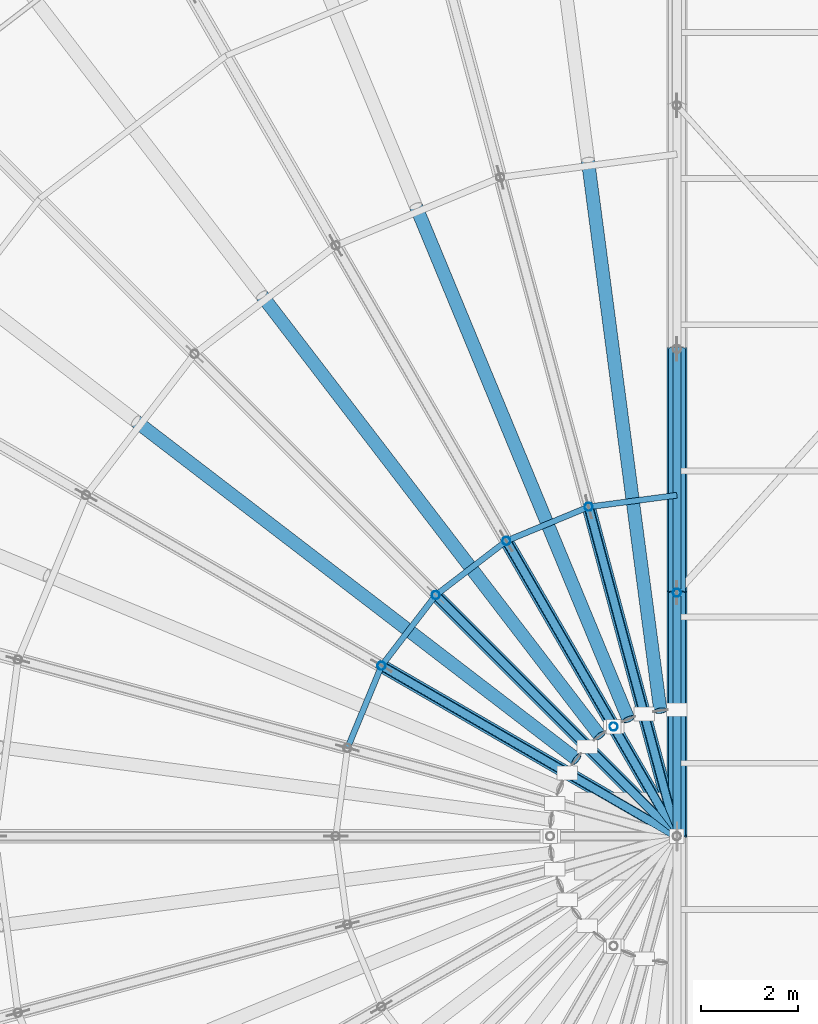
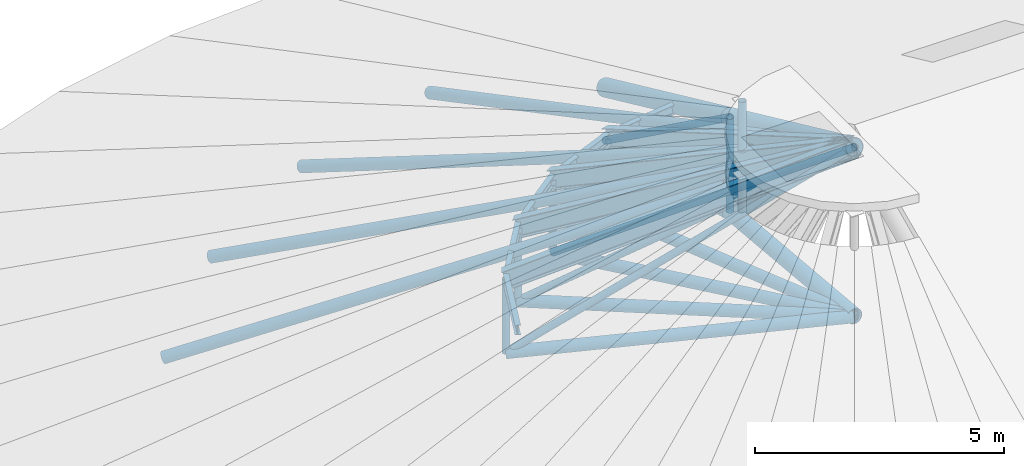
# One storey, part 9 of 107: 33 members.
"""IFC4 building model written with IfcOpenShell, lengths in metres."""

import ifcopenshell
import ifcopenshell.guid

model = None  # the IFC model being written
_history = None  # IfcOwnerHistory: only IFC2X3 demands one
_inside = {}  # id of a spatial element -> (the spatial element, [elements in it])
_under = {}  # id of a project, library or spatial element -> (it, [spatial elements below it])
_declared = {}  # id of a project -> (the project, [libraries it declares])
_typed = {}  # id of a type object -> (the type object, [elements of that type])
_made_of = {}  # id of a material, layer set ... -> (it, [elements and type objects made of it])


def new_model(schema):
    """Start an empty IFC model of exactly this schema.

    Asked for "IFC4X3", IfcOpenShell would pick the latest addendum, in which some entities
    have other attributes; the version numbers below select the first issue.
    IFC2X3 requires an IfcOwnerHistory on every rooted entity: one is made here for all.
    """
    global model, _history
    if schema == "IFC4X3":
        model = ifcopenshell.file(schema_version=(4, 3, 0, 0))
    else:
        model = ifcopenshell.file(schema=schema)
    _inside.clear()
    _under.clear()
    _declared.clear()
    _typed.clear()
    _made_of.clear()
    _history = None
    if model.schema == "IFC2X3":
        org = make("IfcOrganization", Name="unknown")
        user = make(
            "IfcPersonAndOrganization",
            ThePerson=make("IfcPerson", FamilyName="unknown"),
            TheOrganization=org,
        )
        app = make(
            "IfcApplication",
            ApplicationDeveloper=org,
            Version="unknown",
            ApplicationFullName="unknown",
            ApplicationIdentifier="unknown",
        )
        _history = make(
            "IfcOwnerHistory",
            OwningUser=user,
            OwningApplication=app,
            ChangeAction="ADDED",
            CreationDate=0,
        )
    return model


def make(cls, **values):
    """One entity of the class cls with the attributes given. An attribute that is None is left unset."""
    return model.create_entity(
        cls, **{name: value for name, value in values.items() if value is not None}
    )


def rooted(cls, **values):
    """An entity with a GlobalId (a new one), such as an element, a storey or a relation."""
    return make(cls, GlobalId=ifcopenshell.guid.new(), OwnerHistory=_history, **values)


def si_unit(unit_type, name, prefix=None):
    """IfcSIUnit, for example si_unit("LENGTHUNIT", "METRE", prefix="MILLI")."""
    return make("IfcSIUnit", UnitType=unit_type, Prefix=prefix, Name=name)


def derived_unit(unit_type, elements):
    """IfcDerivedUnit: a product of units, each with its exponent."""
    return make(
        "IfcDerivedUnit",
        Elements=[
            make("IfcDerivedUnitElement", Unit=unit, Exponent=power)
            for unit, power in elements
        ],
        UnitType=unit_type,
    )


def assignment(units):
    """IfcUnitAssignment: the units of a project."""
    return None if units is None else make("IfcUnitAssignment", Units=units)


def point(xyz):
    """IfcCartesianPoint."""
    return None if xyz is None else make("IfcCartesianPoint", Coordinates=xyz)


def direction(xyz):
    """IfcDirection."""
    return None if xyz is None else make("IfcDirection", DirectionRatios=xyz)


def frame(location, z_axis=None, x_axis=None):
    """IfcAxis2Placement3D, a coordinate frame: its origin and axes. An axis left out is left unset."""
    return make(
        "IfcAxis2Placement3D",
        Location=point(location),
        Axis=direction(z_axis),
        RefDirection=direction(x_axis),
    )


def frame_2d(location, x_axis=None):
    """IfcAxis2Placement2D, a coordinate frame in the plane: its origin and x axis."""
    return make(
        "IfcAxis2Placement2D", Location=point(location), RefDirection=direction(x_axis)
    )


def origin():
    """The frame at (0, 0, 0) with its axes left unset."""
    return frame((0.0, 0.0, 0.0))


def origin_2d():
    """The frame at (0, 0) in the plane with its x axis left unset."""
    return frame_2d((0.0, 0.0))


def place(relative_to, where):
    """IfcLocalPlacement: puts the frame where relative to a parent placement (None: the world)."""
    return make(
        "IfcLocalPlacement", PlacementRelTo=relative_to, RelativePlacement=where
    )


def context(
    kind, dimensions, precision=None, world=None, true_north=None, identifier=None
):
    """IfcGeometricRepresentationContext, for example the 3D "Model" context."""
    return make(
        "IfcGeometricRepresentationContext",
        ContextIdentifier=identifier,
        ContextType=kind,
        CoordinateSpaceDimension=dimensions,
        Precision=precision,
        WorldCoordinateSystem=world,
        TrueNorth=true_north,
    )


def subcontext(parent, identifier, kind, view, scale=None):
    """IfcGeometricRepresentationSubContext, for example "Body" below "Model"."""
    return make(
        "IfcGeometricRepresentationSubContext",
        ContextIdentifier=identifier,
        ContextType=kind,
        ParentContext=parent,
        TargetScale=scale,
        TargetView=view,
    )


def project(units=None, contexts=None):
    """IfcProject with its units and contexts."""
    return rooted(
        "IfcProject",
        Name="project",
        RepresentationContexts=contexts,
        UnitsInContext=assignment(units),
    )


def spatial(cls, under=None, at=None, **own):
    """A site, building, storey or space (cls), placed at a placement, below another one or the project."""
    s = rooted(cls, ObjectPlacement=at, **own)
    if under is not None:
        _under.setdefault(under.id(), (under, []))[1].append(s)
    return s


def profile(cls, at=None, kind="AREA", **sizes):
    """A parametric profile (cls). Its sizes go by their IFC names, for example OverallWidth=200.0."""
    return make(cls, ProfileType=kind, Position=at, **sizes)


def hollow_circle(**sizes):
    """IfcCircleHollowProfileDef."""
    return profile("IfcCircleHollowProfileDef", **sizes)


def i_section(**sizes):
    """IfcIShapeProfileDef."""
    return profile("IfcIShapeProfileDef", **sizes)


def extrude(swept, where, along, depth):
    """IfcExtrudedAreaSolid: the profile swept, set in the frame where, extruded along a direction by depth."""
    return make(
        "IfcExtrudedAreaSolid",
        SweptArea=swept,
        Position=where,
        ExtrudedDirection=direction(along),
        Depth=depth,
    )


def shape(context_of_items, identifier, shape_type, items):
    """IfcShapeRepresentation: the items that make up one representation, for example the "Body"."""
    return make(
        "IfcShapeRepresentation",
        ContextOfItems=context_of_items,
        RepresentationIdentifier=identifier,
        RepresentationType=shape_type,
        Items=items,
    )


def material(Name=None, Category=None):
    """IfcMaterial."""
    return make("IfcMaterial", Name=Name, Category=Category)


def material_profile(
    of_material, cross_section, Name=None, Category=None, Priority=None
):
    """IfcMaterialProfile: a cross section and its material."""
    return make(
        "IfcMaterialProfile",
        Name=Name,
        Material=of_material,
        Profile=cross_section,
        Priority=Priority,
        Category=Category,
    )


def profile_set(profiles, Name=None, composite=None):
    """IfcMaterialProfileSet."""
    return make(
        "IfcMaterialProfileSet",
        Name=Name,
        MaterialProfiles=profiles,
        CompositeProfile=composite,
    )


def made_of(thing, what):
    """Note that an element or type object is made of a material, layer set ...; save() writes the relation."""
    if what is not None:
        _made_of.setdefault(what.id(), (what, []))[1].append(thing)
    return thing


def type_object(cls, material=None, **own):
    """A type object (cls), such as IfcWallType, which elements share."""
    return made_of(rooted(cls, **own), material)


def element(
    cls,
    number,
    at=None,
    inside=None,
    cuts=None,
    type_object=None,
    material=None,
    context=None,
    identifier="Body",
    shape_type=None,
    held_by="IfcProductDefinitionShape",
    body=None,
    shapes=None,
    **own,
):
    """One element of the class cls, such as IfcWall. Its Tag is "e" and its number.

    at: its placement. inside: the storey or other place that contains it. cuts: it is an
    opening in that element (IfcRelVoidsElement). A single representation is given by context,
    identifier, shape_type and body (its items); several are given by shapes. held_by: the class
    of the entity that holds the representations. save() writes the other relations.
    """
    e = rooted(cls, Tag="e%d" % number, ObjectPlacement=at, **own)
    if body is not None:
        shapes = [shape(context, identifier, shape_type, body)]
    if shapes is not None:
        e.Representation = make(held_by, Representations=shapes)
    if inside is not None:
        _inside.setdefault(inside.id(), (inside, []))[1].append(e)
    if cuts is not None:
        rooted(
            "IfcRelVoidsElement", RelatingBuildingElement=cuts, RelatedOpeningElement=e
        )
    if type_object is not None:
        _typed.setdefault(type_object.id(), (type_object, []))[1].append(e)
    return made_of(e, material)


def aggregate(whole, parts):
    """IfcRelAggregates: a whole, such as a stair, and the parts it consists of."""
    return rooted("IfcRelAggregates", RelatingObject=whole, RelatedObjects=parts)


def save(model, path):
    """Write the relations noted so far, then the file.

    IfcRelAggregates (storeys below a building ...), IfcRelContainedInSpatialStructure (elements
    in a storey), IfcRelDefinesByType, IfcRelAssociatesMaterial and IfcRelDeclares: one each for
    every whole, place, type object, material and project.
    """
    for whole, parts in _under.values():
        aggregate(whole, parts)
    for where, things in _inside.values():
        rooted(
            "IfcRelContainedInSpatialStructure",
            RelatedElements=things,
            RelatingStructure=where,
        )
    for kind, things in _typed.values():
        rooted("IfcRelDefinesByType", RelatedObjects=things, RelatingType=kind)
    for what, things in _made_of.values():
        rooted("IfcRelAssociatesMaterial", RelatedObjects=things, RelatingMaterial=what)
    for by, libraries in _declared.values():
        rooted("IfcRelDeclares", RelatingContext=by, RelatedDefinitions=libraries)
    model.write(path)


model = new_model("IFC4")

# Units and contexts
model_context = context("Model", 3, precision=1e-05, world=origin(), true_north=direction((0.0, 1.0)))
body_context = subcontext(model_context, "Body", "Model", "MODEL_VIEW")
ifc_project = project(units=[si_unit("LENGTHUNIT", "METRE"), si_unit("AREAUNIT", "SQUARE_METRE"), si_unit("VOLUMEUNIT", "CUBIC_METRE"), si_unit("PLANEANGLEUNIT", "RADIAN"), si_unit("MASSUNIT", "GRAM", prefix="KILO"), si_unit("THERMODYNAMICTEMPERATUREUNIT", "KELVIN"), si_unit("TIMEUNIT", "SECOND"), derived_unit("THERMALTRANSMITTANCEUNIT", [(si_unit("MASSUNIT", "GRAM", prefix="KILO"), 1), (si_unit("THERMODYNAMICTEMPERATUREUNIT", "KELVIN"), -1), (si_unit("TIMEUNIT", "SECOND"), -3)])], contexts=[model_context])

# Site, building, storey
site_placement = place(None, origin())
site = spatial("IfcSite", under=ifc_project, at=site_placement, CompositionType="ELEMENT")
building_placement = place(site_placement, origin())
building = spatial("IfcBuilding", under=site, at=building_placement, Name="Cambertide Market Hall", CompositionType="ELEMENT")
storey_placement = place(building_placement, frame((0.0, 0.0, 18.300048828125)))
storey = spatial("IfcBuildingStorey", under=building, at=storey_placement, Name="RF", CompositionType="ELEMENT", Elevation=18.300048828125)

# Members
ifc_material_1 = material(Name="Steel S355", Category="steel")
ifc_material_profile_1 = material_profile(ifc_material_1, hollow_circle(Radius=0.136474609375, WallThickness=0.010009765625, at=origin_2d()), Name="CHS 273x10")
ifc_profile_set_1 = profile_set([ifc_material_profile_1], Name="Steel S355")
member_type_1 = type_object("IfcMemberType", Name="Arched Truss Chord CHS 273x10", PredefinedType="CHORD", material=ifc_profile_set_1)
for number, where, z_axis, x_axis, name in (
    (1, (42.0, 72.0, -4.5), (-0.256795291619, 0.958354076456, -0.124954561115), (-0.965924543531, -0.258823832372, 0.0), "Half-Cone Radial Arch Chord W-02-1"),
    (2, (42.0, 72.0, -4.5), (-0.496076515077, 0.859240788635, -0.124953424661), (-0.866028190633, -0.499995173006, 0.0), "Half-Cone Radial Arch Chord W-04-1"),
):
    element("IfcMember", number, at=place(storey_placement, frame(where, z_axis=z_axis, x_axis=x_axis)), inside=storey, type_object=member_type_1, Name=name, PredefinedType="CHORD", context=body_context, shape_type="SweptSolid", body=[
        extrude(hollow_circle(Radius=0.136474609375, WallThickness=0.010009765625, at=origin_2d()), origin(), (0.0, 0.0, 1.0), 7.055419921875),
    ])
member_1_placement = place(storey_placement, frame((42.0, 72.0, -4.5), z_axis=(-0.701564713257, 0.701564713257, -0.124955617025), x_axis=(-0.707106781187, -0.707106781187, 0.0)))
element("IfcMember", 3, at=member_1_placement, inside=storey, type_object=member_type_1, Name="Half-Cone Radial Arch Chord W-06-1", PredefinedType="CHORD", context=body_context, shape_type="SweptSolid", body=[
    extrude(hollow_circle(Radius=0.136474609375, WallThickness=0.010009765625, at=origin_2d()), origin(), (0.0, 0.0, 1.0), 7.05517578125),
])
member_2_placement = place(storey_placement, frame((42.0, 72.0, -4.5), z_axis=(-0.859240788635, 0.496076515077, -0.124953424661), x_axis=(-0.499995173006, -0.866028190633, 0.0)))
element("IfcMember", 4, at=member_2_placement, inside=storey, type_object=member_type_1, Name="Half-Cone Radial Arch Chord W-08-1", PredefinedType="CHORD", context=body_context, shape_type="SweptSolid", body=[
    extrude(hollow_circle(Radius=0.136474609375, WallThickness=0.010009765625, at=origin_2d()), origin(), (0.0, 0.0, 1.0), 7.055419921875),
])
ifc_material_2 = material(Name="Steel S355", Category="steel")
ifc_material_profile_2 = material_profile(ifc_material_2, hollow_circle(Radius=0.177734375, WallThickness=0.012451171875, at=origin_2d()), Name="CHS 355.6x12.5")
ifc_profile_set_2 = profile_set([ifc_material_profile_2], Name="Steel S355")
member_type_2 = type_object("IfcMemberType", Name="Arched Truss Chord CHS 355.6x12.5", PredefinedType="CHORD", material=ifc_profile_set_2)
member_3_placement = place(storey_placement, frame((42.0, 72.0, -4.5), z_axis=(0.0, 0.9958792443, -0.090689198761), x_axis=(-1.0, 0.0, 0.0)))
element("IfcMember", 5, at=member_3_placement, inside=storey, type_object=member_type_2, Name="Roof Truss 1 Arched Bottom Chord 5", PredefinedType="CHORD", context=body_context, shape_type="SweptSolid", body=[
    extrude(hollow_circle(Radius=0.177734375, WallThickness=0.012451171875, at=origin_2d()), origin(), (0.0, 0.0, 1.0), 5.020751953125),
])
member_4_placement = place(storey_placement, frame((42.0, 77.0, -4.955322265625), z_axis=(0.0, 0.968015607618, -0.250889982678), x_axis=(-1.0, 0.0, 0.0)))
element("IfcMember", 6, at=member_4_placement, inside=storey, type_object=member_type_2, Name="Roof Truss 1 Arched Bottom Chord 6", PredefinedType="CHORD", context=body_context, shape_type="SweptSolid", body=[
    extrude(hollow_circle(Radius=0.177734375, WallThickness=0.012451171875, at=origin_2d()), origin(), (0.0, 0.0, 1.0), 5.165283203125),
])
ifc_material_3 = material(Name="Steel S355", Category="steel")
ifc_material_profile_3 = material_profile(ifc_material_3, hollow_circle(Radius=0.203125, WallThickness=0.01416015625, at=origin_2d()), Name="CHS 406.4x14.2")
ifc_profile_set_3 = profile_set([ifc_material_profile_3], Name="Steel S355")
member_type_3 = type_object("IfcMemberType", Name="Arched Truss Chord CHS 406.4x14.2", PredefinedType="CHORD", material=ifc_profile_set_3)
for number, where, z_axis, x_axis, name in (
    (7, (42.0, 72.0, -0.35009765625), (0.0, 0.908487084298, -0.417912930721), (-1.0, 0.0, 0.0), "Roof Truss 1 Top Chord 5"),
    (8, (42.0, 77.0, -2.650146484375), (0.0, 0.908503925861, -0.417876317461), (-1.0, 0.0, 0.0), "Roof Truss 1 Top Chord 6"),
):
    element("IfcMember", number, at=place(storey_placement, frame(where, z_axis=z_axis, x_axis=x_axis)), inside=storey, type_object=member_type_3, Name=name, PredefinedType="CHORD", context=body_context, shape_type="SweptSolid", body=[
        extrude(hollow_circle(Radius=0.203125, WallThickness=0.01416015625, at=origin_2d()), origin(), (0.0, 0.0, 1.0), 5.503662109375),
    ])
ifc_material_4 = material(Name="Steel S355", Category="steel")
ifc_material_profile_4 = material_profile(ifc_material_4, hollow_circle(Radius=0.136474609375, WallThickness=0.010009765625, at=origin_2d()), Name="CHS 273x10")
ifc_profile_set_4 = profile_set([ifc_material_profile_4], Name="Steel S355")
member_type_4 = type_object("IfcMemberType", Name="Radial Fan Rafter CHS 273x10", PredefinedType="RAFTER", material=ifc_profile_set_4)
for number, where, z_axis, x_axis, name in (
    (9, (41.66064453125, 74.57763671875, -1.546142578125), (-0.11858507454, 0.900721251164, -0.417898083027), (-0.991444452242, -0.130529299847, 0.0), "RAF-W-01-A"),
    (10, (41.005126953125, 74.402099609375, -1.546142578125), (-0.347679586527, 0.839333931883, -0.417896465529), (-0.923873271292, -0.382698547937, 0.0), "RAF-W-03-A"),
    (11, (40.417236328125, 74.062744140625, -1.546142578125), (-0.553060460579, 0.720752999442, -0.417898601026), (-0.793349495449, -0.608766439672, 0.0), "RAF-W-05-A"),
    (12, (39.937255859375, 73.582763671875, -1.546142578125), (-0.720752999442, 0.553060460579, -0.417898601026), (-0.608766439672, -0.793349495449, 0.0), "RAF-W-07-A"),
):
    element("IfcMember", number, at=place(storey_placement, frame(where, z_axis=z_axis, x_axis=x_axis)), inside=storey, type_object=member_type_4, Name=name, PredefinedType="RAFTER", context=body_context, shape_type="SweptSolid", body=[
        extrude(hollow_circle(Radius=0.136474609375, WallThickness=0.010009765625, at=origin_2d()), origin(), (0.0, 0.0, 1.0), 12.54833984375),
    ])
ifc_material_5 = material(Name="Steel S355", Category="steel")
ifc_material_profile_5 = material_profile(ifc_material_5, i_section(OverallWidth=0.18994140625, OverallDepth=0.449951171875, WebThickness=0.009521484375, FlangeThickness=0.0146484375, FilletRadius=0.02099609375, at=origin_2d()), Name="IPE 450")
ifc_profile_set_5 = profile_set([ifc_material_profile_5], Name="Steel S355")
member_type_5 = type_object("IfcMemberType", Name="Radial Fan Rafter IPE 450", PredefinedType="RAFTER", material=ifc_profile_set_5)
for number, where, z_axis, x_axis, name in (
    (13, (42.0, 72.0, -0.35009765625), (-0.235139371303, 0.877534683767, -0.417902326925), (-0.965924543531, -0.258823832372, 0.0), "Half-Cone Radial Truss Rafter W-02-1"),
    (14, (42.0, 72.0, -0.35009765625), (-0.454242328693, 0.786780919627, -0.417899140146), (-0.866028190633, -0.499995173006, 0.0), "Half-Cone Radial Truss Rafter W-04-1"),
    (15, (42.0, 72.0, -0.35009765625), (-0.642399863947, 0.642399863947, -0.417905287837), (-0.707106781187, -0.707106781187, 0.0), "Half-Cone Radial Truss Rafter W-06-1"),
    (16, (42.0, 72.0, -0.35009765625), (-0.786780919627, 0.454242328693, -0.417899140146), (-0.499995173006, -0.866028190633, 0.0), "Half-Cone Radial Truss Rafter W-08-1"),
):
    element("IfcMember", number, at=place(storey_placement, frame(where, z_axis=z_axis, x_axis=x_axis)), inside=storey, type_object=member_type_5, Name=name, PredefinedType="RAFTER", context=body_context, shape_type="SweptSolid", body=[
        extrude(i_section(OverallWidth=0.18994140625, OverallDepth=0.449951171875, WebThickness=0.009521484375, FlangeThickness=0.0146484375, FilletRadius=0.02099609375, at=origin_2d()), origin(), (0.0, 0.0, 1.0), 7.705078125),
    ])
ifc_material_6 = material(Name="Steel S275", Category="steel")
ifc_material_profile_6 = material_profile(ifc_material_6, i_section(OverallWidth=0.1201171875, OverallDepth=0.239990234375, WebThickness=0.006103515625, FlangeThickness=0.009765625, FilletRadius=0.014892578125, at=origin_2d()), Name="IPE 240")
ifc_profile_set_6 = profile_set([ifc_material_profile_6], Name="Steel S275")
member_type_6 = type_object("IfcMemberType", Name="Roof Purlin IPE 240", PredefinedType="PURLIN", material=ifc_profile_set_6)
for number, where, z_axis, x_axis, name in (
    (17, (42.0, 79.0, -3.570068359375), (-0.991444743541, -0.130527087244, 0.0), (0.130527087244, -0.991444743541, 0.0), "CPUR-W-70-01"),
    (18, (40.188232421875, 78.761474609375, -3.570068359375), (-0.923893078809, -0.382650727073, 0.0), (0.382650727073, -0.923893078809, 0.0), "CPUR-W-70-02"),
    (19, (38.5, 78.062255859375, -3.570068359375), (-0.79331382789, -0.608812919113, 0.0), (0.608812919113, -0.79331382789, 0.0), "CPUR-W-70-03"),
    (20, (37.05029296875, 76.94970703125, -3.570068359375), (-0.608812919113, -0.79331382789, 0.0), (0.79331382789, -0.608812919113, 0.0), "CPUR-W-70-04"),
    (21, (35.937744140625, 75.5, -3.570068359375), (-0.382650727073, -0.923893078809, 0.0), (0.923893078809, -0.382650727073, 0.0), "CPUR-W-70-05"),
):
    element("IfcMember", number, at=place(storey_placement, frame(where, z_axis=z_axis, x_axis=x_axis)), inside=storey, type_object=member_type_6, Name=name, PredefinedType="PURLIN", context=body_context, shape_type="SweptSolid", body=[
        extrude(i_section(OverallWidth=0.1201171875, OverallDepth=0.239990234375, WebThickness=0.006103515625, FlangeThickness=0.009765625, FilletRadius=0.014892578125, at=origin_2d()), origin(), (0.0, 0.0, 1.0), 1.827392578125),
    ])
ifc_material_7 = material(Name="Steel S355", Category="steel")
ifc_material_profile_7 = material_profile(ifc_material_7, hollow_circle(Radius=0.084228515625, WallThickness=0.00634765625, at=origin_2d()), Name="CHS 168.3x6.3")
ifc_profile_set_7 = profile_set([ifc_material_profile_7], Name="Steel S355")
member_type_7 = type_object("IfcMemberType", Name="Structural Brace CHS 168.3x6.3", PredefinedType="BRACE", material=ifc_profile_set_7)
member_5_placement = place(storey_placement, frame((42.0, 72.0, -0.35009765625), z_axis=(0.0, 0.73554793102, -0.677472686662), x_axis=(-1.0, 0.0, 0.0)))
element("IfcMember", 22, at=member_5_placement, inside=storey, type_object=member_type_7, Name="Roof Truss 1 Web Diagonal 5", PredefinedType="BRACE", context=body_context, shape_type="SweptSolid", body=[
    extrude(hollow_circle(Radius=0.084228515625, WallThickness=0.00634765625, at=origin_2d()), origin(), (0.0, 0.0, 1.0), 6.797607421875),
])
member_6_placement = place(storey_placement, frame((42.0, 77.0, -2.650146484375), z_axis=(0.0, 0.811451666424, -0.584419535144), x_axis=(-1.0, 0.0, 0.0)))
element("IfcMember", 23, at=member_6_placement, inside=storey, type_object=member_type_7, Name="Roof Truss 1 Web Diagonal 6", PredefinedType="BRACE", context=body_context, shape_type="SweptSolid", body=[
    extrude(hollow_circle(Radius=0.084228515625, WallThickness=0.00634765625, at=origin_2d()), origin(), (0.0, 0.0, 1.0), 6.161865234375),
])
member_7_placement = place(storey_placement, frame((42.0, 77.0, -4.955322265625), z_axis=(0.0, 0.0, 1.0), x_axis=(1.0, 0.0, 0.0)))
element("IfcMember", 24, at=member_7_placement, inside=storey, type_object=member_type_7, Name="Roof Truss 1 Web Post 6", PredefinedType="BRACE", context=body_context, shape_type="SweptSolid", body=[
    extrude(hollow_circle(Radius=0.084228515625, WallThickness=0.00634765625, at=origin_2d()), origin(), (0.0, 0.0, 1.0), 2.30517578125),
])
member_8_placement = place(storey_placement, frame((40.188232421875, 78.761474609375, -5.381591796875), z_axis=(0.210165486158, -0.784332723238, 0.58365456195), x_axis=(0.965924543531, 0.258823832372, 0.0)))
element("IfcMember", 25, at=member_8_placement, inside=storey, type_object=member_type_7, Name="RWB-W-02-D1", PredefinedType="BRACE", context=body_context, shape_type="SweptSolid", body=[
    extrude(hollow_circle(Radius=0.084228515625, WallThickness=0.00634765625, at=origin_2d()), origin(), (0.0, 0.0, 1.0), 8.62060546875),
])
member_9_placement = place(storey_placement, frame((40.188232421875, 78.761474609375, -5.381591796875), z_axis=(0.0, 0.0, 1.0), x_axis=(1.0, 0.0, 0.0)))
element("IfcMember", 26, at=member_9_placement, inside=storey, type_object=member_type_7, Name="RWV-W-02-V1", PredefinedType="BRACE", context=body_context, shape_type="SweptSolid", body=[
    extrude(hollow_circle(Radius=0.084228515625, WallThickness=0.00634765625, at=origin_2d()), origin(), (0.0, 0.0, 1.0), 1.8115234375),
])
member_10_placement = place(storey_placement, frame((38.5, 78.062255859375, -5.381591796875), z_axis=(0.405998390403, -0.703218891749, 0.583651006405), x_axis=(0.866028190633, 0.499995173006, 0.0)))
element("IfcMember", 27, at=member_10_placement, inside=storey, type_object=member_type_7, Name="RWB-W-04-D1", PredefinedType="BRACE", context=body_context, shape_type="SweptSolid", body=[
    extrude(hollow_circle(Radius=0.084228515625, WallThickness=0.00634765625, at=origin_2d()), origin(), (0.0, 0.0, 1.0), 8.62060546875),
])
member_11_placement = place(storey_placement, frame((38.5, 78.062255859375, -5.381591796875), z_axis=(0.0, 0.0, 1.0), x_axis=(1.0, 0.0, 0.0)))
element("IfcMember", 28, at=member_11_placement, inside=storey, type_object=member_type_7, Name="RWV-W-04-V1", PredefinedType="BRACE", context=body_context, shape_type="SweptSolid", body=[
    extrude(hollow_circle(Radius=0.084228515625, WallThickness=0.00634765625, at=origin_2d()), origin(), (0.0, 0.0, 1.0), 1.8115234375),
])
member_12_placement = place(storey_placement, frame((37.05029296875, 76.94970703125, -5.381591796875), z_axis=(0.574170486906, -0.574170486906, 0.583657865476), x_axis=(0.707106781187, 0.707106781187, 0.0)))
element("IfcMember", 29, at=member_12_placement, inside=storey, type_object=member_type_7, Name="RWB-W-06-D1", PredefinedType="BRACE", context=body_context, shape_type="SweptSolid", body=[
    extrude(hollow_circle(Radius=0.084228515625, WallThickness=0.00634765625, at=origin_2d()), origin(), (0.0, 0.0, 1.0), 8.62060546875),
])
member_13_placement = place(storey_placement, frame((37.05029296875, 76.94970703125, -5.381591796875), z_axis=(0.0, 0.0, 1.0), x_axis=(1.0, 0.0, 0.0)))
element("IfcMember", 30, at=member_13_placement, inside=storey, type_object=member_type_7, Name="RWV-W-06-V1", PredefinedType="BRACE", context=body_context, shape_type="SweptSolid", body=[
    extrude(hollow_circle(Radius=0.084228515625, WallThickness=0.00634765625, at=origin_2d()), origin(), (0.0, 0.0, 1.0), 1.8115234375),
])
member_14_placement = place(storey_placement, frame((35.937744140625, 75.5, -5.381591796875), z_axis=(0.703218891749, -0.405998390403, 0.583651006405), x_axis=(0.499995173006, 0.866028190633, 0.0)))
element("IfcMember", 31, at=member_14_placement, inside=storey, type_object=member_type_7, Name="RWB-W-08-D1", PredefinedType="BRACE", context=body_context, shape_type="SweptSolid", body=[
    extrude(hollow_circle(Radius=0.084228515625, WallThickness=0.00634765625, at=origin_2d()), origin(), (0.0, 0.0, 1.0), 8.62060546875),
])
member_15_placement = place(storey_placement, frame((35.937744140625, 75.5, -5.381591796875), z_axis=(0.0, 0.0, 1.0), x_axis=(1.0, 0.0, 0.0)))
element("IfcMember", 32, at=member_15_placement, inside=storey, type_object=member_type_7, Name="RWV-W-08-V1", PredefinedType="BRACE", context=body_context, shape_type="SweptSolid", body=[
    extrude(hollow_circle(Radius=0.084228515625, WallThickness=0.00634765625, at=origin_2d()), origin(), (0.0, 0.0, 1.0), 1.8115234375),
])
member_16_placement = place(storey_placement, frame((40.699951171875, 74.251708984375, -1.345947265625), z_axis=(0.0, 0.0, 1.0), x_axis=(1.0, 0.0, 0.0)))
element("IfcMember", 33, at=member_16_placement, inside=storey, type_object=member_type_7, Name="Oculus Lantern Curb Post W-1", PredefinedType="BRACE", context=body_context, shape_type="SweptSolid", body=[
    extrude(hollow_circle(Radius=0.084228515625, WallThickness=0.00634765625, at=origin_2d()), origin(), (0.0, 0.0, 1.0), 1.23583984375),
])

save(model, "model.ifc")
